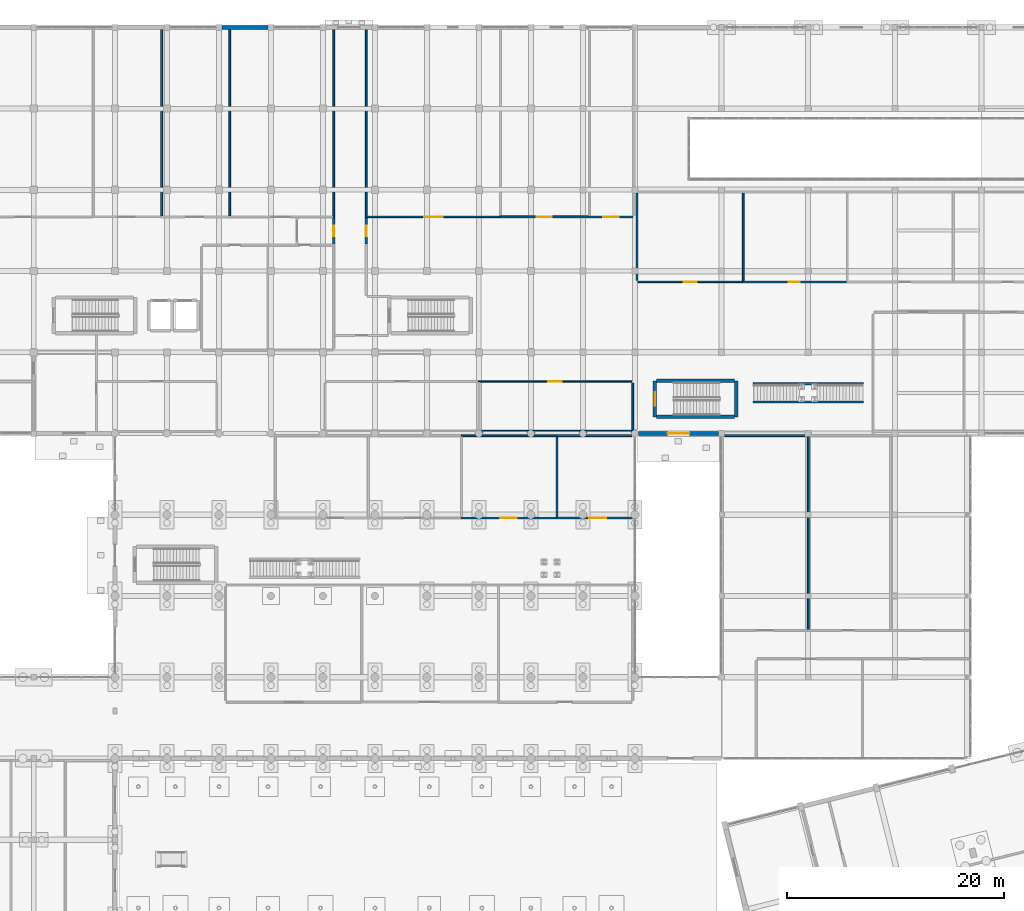
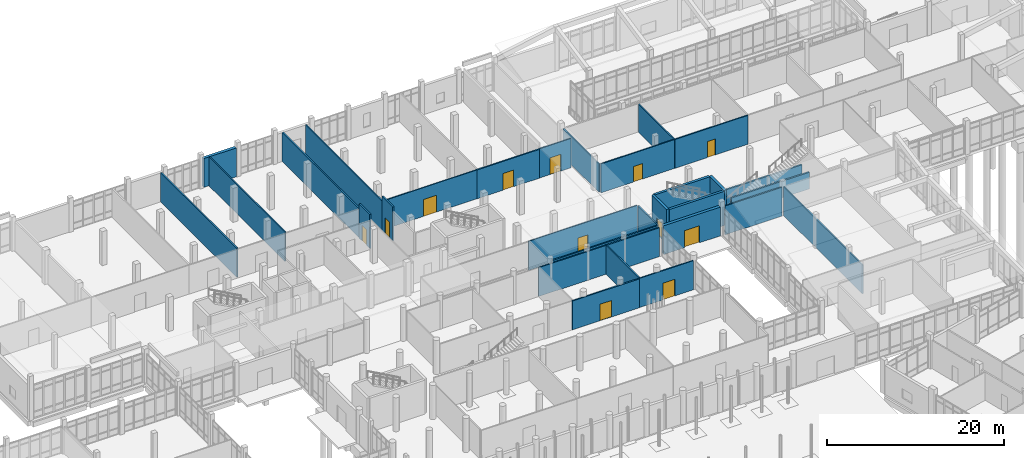
# One storey, part 156 of 173: 31 walls, 12 doors, 12 openings.
"""IFC4 building model written with IfcOpenShell, lengths in metres."""

from ifc_helpers import new_model, si_unit, direction, frame, frame_2d, origin, place, context, subcontext, project, spatial, rectangle, extrude, material, layer, layer_set, type_object, element, fill, save


model = new_model("IFC4")

# Units and contexts
model_context = context("Model", 3, precision=1e-05, world=origin(), true_north=direction((0.0, 1.0)))
body_context = subcontext(model_context, "Body", "Model", "MODEL_VIEW")
ifc_project = project(units=[si_unit("LENGTHUNIT", "METRE"), si_unit("AREAUNIT", "SQUARE_METRE"), si_unit("VOLUMEUNIT", "CUBIC_METRE"), si_unit("PLANEANGLEUNIT", "RADIAN"), si_unit("MASSUNIT", "GRAM", prefix="KILO")], contexts=[model_context])

# Site, building, storey
site_placement = place(None, origin())
site = spatial("IfcSite", under=ifc_project, at=site_placement, CompositionType="ELEMENT")
building_placement = place(site_placement, origin())
building = spatial("IfcBuilding", under=site, at=building_placement, Name="Mawjan Specialist Oncology Clinic", CompositionType="ELEMENT")
storey_placement = place(building_placement, origin())
storey = spatial("IfcBuildingStorey", under=building, at=storey_placement, Name="L00", CompositionType="ELEMENT", Elevation=0.0)

# Wall
ifc_material_1 = material(Name="Precast concrete C40/50", Category="concrete")
ifc_layer_1 = layer(ifc_material_1, 0.3798828125, Name="Precast concrete C40/50", Category="concrete")
ifc_layer_set_1 = layer_set([ifc_layer_1], Name="Precast concrete C40/50")
wall_type_1 = type_object("IfcWallType", Name="EW-380", PredefinedType="SOLIDWALL", material=ifc_layer_set_1)
wall_1_placement = place(storey_placement, frame((69.875, 113.300048828125, 0.0), z_axis=(0.0, 0.0, 1.0), x_axis=(1.0, 0.0, 0.0)))
element("IfcWall", 1, at=wall_1_placement, inside=storey, type_object=wall_type_1, Name="L00 Coral-Limestone Exterior Wall EW-L00-020", PredefinedType="SOLIDWALL", context=body_context, shape_type="SweptSolid", body=[
    extrude(rectangle(XDim=4.25, YDim=0.3798828125, at=frame_2d((2.125, 0.0))), origin(), (0.0, 0.0, 1.0), 3.985107421875),
])

# Wall, opening, door
wall_2_placement = place(storey_placement, frame((115.72509765625, 75.800048828125, 0.0), z_axis=(0.0, 0.0, 1.0), x_axis=(-1.0, 0.0, 0.0)))
wall_2 = element("IfcWall", 2, at=wall_2_placement, inside=storey, type_object=wall_type_1, Name="L00 Coral-Limestone Exterior Wall EW-L00-063", PredefinedType="SOLIDWALL", context=body_context, shape_type="SweptSolid", body=[
    extrude(rectangle(XDim=7.400146484375, YDim=0.3798828125, at=frame_2d((3.7001953125, 0.0))), origin(), (0.0, 0.0, 1.0), 3.985107421875),
])
opening_1_placement = place(wall_2_placement, frame((2.699951171875, 0.0, 0.0)))
opening_1 = element("IfcOpeningElement", 3, at=opening_1_placement, cuts=wall_2, Name="Opening DE-200", PredefinedType="OPENING", context=body_context, shape_type="SweptSolid", body=[
    extrude(rectangle(XDim=2.0, YDim=2.35009765625, at=frame_2d((1.0, 1.175048828125))), frame((0.0, 0.201904296875, 0.0), z_axis=(0.0, -1.0, 0.0), x_axis=(1.0, 0.0, 0.0)), (0.0, 0.0, 1.0), 0.40380859375),
])
ifc_material_2 = material(Name="Insulated marine-grade aluminium entrance assembly", Category="aluminium")
door_type_1 = type_object("IfcDoorType", Name="DE-200", OperationType="DOUBLE_DOOR_SINGLE_SWING", PredefinedType="DOOR", material=ifc_material_2)
door_1_placement = place(opening_1_placement, origin())
door_1 = element("IfcDoor", 4, at=door_1_placement, inside=storey, type_object=door_type_1, Name="Exit Stair ST-08 Final Exterior Discharge Door", OperationType="DOUBLE_DOOR_SINGLE_SWING", OverallHeight=2.35009765625, OverallWidth=2.0, PredefinedType="DOOR", context=body_context, shape_type="SweptSolid", body=[
    extrude(rectangle(XDim=2.0, YDim=2.35009765625, at=frame_2d((1.0, 1.175048828125))), frame((0.0, 0.02490234375, 0.0), z_axis=(0.0, -1.0, 0.0), x_axis=(1.0, 0.0, 0.0)), (0.0, 0.0, 1.0), 0.050048828125),
])
fill(opening_1, door_1)

# Walls
ifc_material_3 = material(Name="Concrete C45/55", Category="concrete")
ifc_layer_2 = layer(ifc_material_3, 0.320068359375, Name="Concrete C45/55", Category="concrete")
ifc_layer_set_2 = layer_set([ifc_layer_2], Name="Concrete C45/55")
wall_type_2 = type_object("IfcWallType", Name="SW-350", PredefinedType="SHEAR", material=ifc_layer_set_2)
wall_3_placement = place(storey_placement, frame((110.0048828125, 77.340087890625, 0.0), z_axis=(0.0, 0.0, 1.0), x_axis=(1.0, 0.0, 0.0)))
element("IfcWall", 5, at=wall_3_placement, inside=storey, type_object=wall_type_2, Name="L00 Core K8 Stair Shear Wall 1", PredefinedType="SHEAR", context=body_context, shape_type="SweptSolid", body=[
    extrude(rectangle(XDim=7.190185546875, YDim=0.320068359375, at=frame_2d((3.59521484375, 0.0))), origin(), (0.0, 0.0, 1.0), 4.699951171875),
])
wall_4_placement = place(storey_placement, frame((117.360107421875, 77.340087890625, 0.0), z_axis=(0.0, 0.0, 1.0), x_axis=(0.0, 1.0, 0.0)))
element("IfcWall", 6, at=wall_4_placement, inside=storey, type_object=wall_type_2, Name="L00 Core K8 Stair Shear Wall 2", PredefinedType="SHEAR", context=body_context, shape_type="SweptSolid", body=[
    extrude(rectangle(XDim=3.31982421875, YDim=0.320068359375, at=frame_2d((1.659912109375, 0.0))), origin(), (0.0, 0.0, 1.0), 4.699951171875),
])
wall_5_placement = place(storey_placement, frame((117.195068359375, 80.659912109375, 0.0), z_axis=(0.0, 0.0, 1.0), x_axis=(-1.0, 0.0, 0.0)))
element("IfcWall", 7, at=wall_5_placement, inside=storey, type_object=wall_type_2, Name="L00 Core K8 Stair Shear Wall 3", PredefinedType="SHEAR", context=body_context, shape_type="SweptSolid", body=[
    extrude(rectangle(XDim=7.190185546875, YDim=0.320068359375, at=frame_2d((3.59521484375, 0.0))), origin(), (0.0, 0.0, 1.0), 4.699951171875),
])

# Wall, opening, door
wall_6_placement = place(storey_placement, frame((109.840087890625, 80.659912109375, 0.0), z_axis=(0.0, 0.0, 1.0), x_axis=(0.0, -1.0, 0.0)))
wall_6 = element("IfcWall", 8, at=wall_6_placement, inside=storey, type_object=wall_type_2, Name="L00 Core K8 Stair Shear Wall 4", PredefinedType="SHEAR", context=body_context, shape_type="SweptSolid", body=[
    extrude(rectangle(XDim=3.31982421875, YDim=0.320068359375, at=frame_2d((1.659912109375, 0.0))), origin(), (0.0, 0.0, 1.0), 4.699951171875),
])
opening_2_placement = place(wall_6_placement, frame((1.034912109375, 0.0, 0.0)))
opening_2 = element("IfcOpeningElement", 9, at=opening_2_placement, cuts=wall_6, Name="Opening FD-90W", PredefinedType="OPENING", context=body_context, shape_type="SweptSolid", body=[
    extrude(rectangle(XDim=1.25, YDim=2.199951171875, at=frame_2d((0.625, 1.10009765625))), frame((0.0, 0.172119140625, 0.0), z_axis=(0.0, -1.0, 0.0), x_axis=(1.0, 0.0, 0.0)), (0.0, 0.0, 1.0), 0.343994140625),
])
ifc_material_4 = material(Name="Stainless-steel fire-rated hospital door", Category="steel")
door_type_2 = type_object("IfcDoorType", Name="FD-90W", OperationType="NOTDEFINED", PredefinedType="DOOR", material=ifc_material_4)
door_2_placement = place(opening_2_placement, origin())
door_2 = element("IfcDoor", 10, at=door_2_placement, inside=storey, type_object=door_type_2, Name="L00 ST-08 Fire Exit Stair Door", OperationType="SINGLE_SWING_LEFT", OverallHeight=2.199951171875, OverallWidth=1.25, PredefinedType="DOOR", context=body_context, shape_type="SweptSolid", body=[
    extrude(rectangle(XDim=1.25, YDim=2.199951171875, at=frame_2d((0.625, 1.10009765625))), frame((0.0, 0.02490234375, 0.0), z_axis=(0.0, -1.0, 0.0), x_axis=(1.0, 0.0, 0.0)), (0.0, 0.0, 1.0), 0.050048828125),
])
fill(opening_2, door_2)

ifc_material_5 = material(Name="Moisture-resistant washroom partition", Category="gypsum")
ifc_layer_3 = layer(ifc_material_5, 0.125, Name="Moisture-resistant washroom partition", Category="gypsum")
ifc_layer_set_3 = layer_set([ifc_layer_3], Name="Moisture-resistant washroom partition")
wall_type_3 = type_object("IfcWallType", Name="WP-125", PredefinedType="PARTITIONING", material=ifc_layer_set_3)
wall_7_placement = place(storey_placement, frame((83.284912109375, 95.800048828125, 0.0), z_axis=(0.0, 0.0, 1.0), x_axis=(1.0, 0.0, 0.0)))
wall_7 = element("IfcWall", 11, at=wall_7_placement, inside=storey, type_object=wall_type_3, Name="L00 Interior Partition W-INT-L00-P04-C", PredefinedType="PARTITIONING", context=body_context, shape_type="SweptSolid", body=[
    extrude(rectangle(XDim=12.22998046875, YDim=0.125, at=frame_2d((6.114990234375, 0.0))), origin(), (0.0, 0.0, 1.0), 3.985107421875),
])
opening_3_placement = place(wall_7_placement, frame((5.2548828125, 0.0, 0.0)))
opening_3 = element("IfcOpeningElement", 12, at=opening_3_placement, cuts=wall_7, Name="Opening DC-172", PredefinedType="OPENING", context=body_context, shape_type="SweptSolid", body=[
    extrude(rectangle(XDim=1.719970703125, YDim=2.340087890625, at=frame_2d((0.85986328125, 1.169921875))), frame((0.0, 0.074462890625, 0.0), z_axis=(0.0, -1.0, 0.0), x_axis=(1.0, 0.0, 0.0)), (0.0, 0.0, 1.0), 0.14892578125),
])
ifc_material_6 = material(Name="Acoustic laminate hospital door leaf", Category="wood")
door_type_3 = type_object("IfcDoorType", Name="DC-172", OperationType="NOTDEFINED", PredefinedType="DOOR", material=ifc_material_6)
door_3_placement = place(opening_3_placement, origin())
door_3 = element("IfcDoor", 13, at=door_3_placement, inside=storey, type_object=door_type_3, Name="L00 Phase II Discharge Lounge Door", OperationType="SINGLE_SWING_LEFT", OverallHeight=2.340087890625, OverallWidth=1.719970703125, PredefinedType="DOOR", context=body_context, shape_type="SweptSolid", body=[
    extrude(rectangle(XDim=1.719970703125, YDim=2.340087890625, at=frame_2d((0.85986328125, 1.169921875))), frame((0.0, 0.02490234375, 0.0), z_axis=(0.0, -1.0, 0.0), x_axis=(1.0, 0.0, 0.0)), (0.0, 0.0, 1.0), 0.050048828125),
])
fill(opening_3, door_3)

wall_8_placement = place(storey_placement, frame((93.527099609375, 80.60009765625, 0.0), z_axis=(0.0, 0.0, 1.0), x_axis=(1.0, 0.0, 0.0)))
wall_8 = element("IfcWall", 14, at=wall_8_placement, inside=storey, type_object=wall_type_3, Name="L00 Interior Partition W-INT-L00-P10B-C", PredefinedType="PARTITIONING", context=body_context, shape_type="SweptSolid", body=[
    extrude(rectangle(XDim=14.18798828125, YDim=0.125, at=frame_2d((7.093994140625, 0.0))), origin(), (0.0, 0.0, 1.0), 4.034912109375),
])
opening_4_placement = place(wall_8_placement, frame((6.4541015625, 0.0, 0.0)))
opening_4 = element("IfcOpeningElement", 15, at=opening_4_placement, cuts=wall_8, Name="Opening DC-128", PredefinedType="OPENING", context=body_context, shape_type="SweptSolid", body=[
    extrude(rectangle(XDim=1.280029296875, YDim=2.219970703125, at=frame_2d((0.64013671875, 1.10986328125))), frame((0.0, 0.074462890625, 0.0), z_axis=(0.0, -1.0, 0.0), x_axis=(1.0, 0.0, 0.0)), (0.0, 0.0, 1.0), 0.14892578125),
])
ifc_material_7 = material(Name="Acoustic laminate hospital door leaf", Category="wood")
door_type_4 = type_object("IfcDoorType", Name="DC-128", OperationType="NOTDEFINED", PredefinedType="DOOR", material=ifc_material_7)
door_4_placement = place(opening_4_placement, origin())
door_4 = element("IfcDoor", 16, at=door_4_placement, inside=storey, type_object=door_type_4, Name="L00 Surgical Scheduling Suite Door", OperationType="SINGLE_SWING_RIGHT", OverallHeight=2.219970703125, OverallWidth=1.280029296875, PredefinedType="DOOR", context=body_context, shape_type="SweptSolid", body=[
    extrude(rectangle(XDim=1.280029296875, YDim=2.219970703125, at=frame_2d((0.64013671875, 1.10986328125))), frame((0.0, 0.02490234375, 0.0), z_axis=(0.0, -1.0, 0.0), x_axis=(1.0, 0.0, 0.0)), (0.0, 0.0, 1.0), 0.050048828125),
])
fill(opening_4, door_4)

ifc_material_8 = material(Name="Acoustic gypsum clinical partition", Category="gypsum")
ifc_layer_4 = layer(ifc_material_8, 0.14990234375, Name="Acoustic gypsum clinical partition", Category="gypsum")
ifc_layer_set_4 = layer_set([ifc_layer_4], Name="Acoustic gypsum clinical partition")
wall_type_4 = type_object("IfcWallType", Name="WP-150", PredefinedType="PARTITIONING", material=ifc_layer_set_4)
wall_9_placement = place(storey_placement, frame((100.72705078125, 68.0, 0.0), z_axis=(0.0, 0.0, 1.0), x_axis=(1.0, 0.0, 0.0)))
wall_9 = element("IfcWall", 17, at=wall_9_placement, inside=storey, type_object=wall_type_4, Name="L00 Interior Partition W-INT-L00-H04-C", PredefinedType="PARTITIONING", context=body_context, shape_type="SweptSolid", body=[
    extrude(rectangle(XDim=7.036376953125, YDim=0.14990234375, at=frame_2d((3.51806640625, 0.0))), origin(), (0.0, 0.0, 1.0), 4.034912109375),
])
opening_5_placement = place(wall_9_placement, frame((3.06689453125, 0.0, 0.0)))
opening_5 = element("IfcOpeningElement", 18, at=opening_5_placement, cuts=wall_9, Name="Opening DC-156", PredefinedType="OPENING", context=body_context, shape_type="SweptSolid", body=[
    extrude(rectangle(XDim=1.56005859375, YDim=2.300048828125, at=frame_2d((0.780029296875, 1.14990234375))), frame((0.0, 0.0869140625, 0.0), z_axis=(0.0, -1.0, 0.0), x_axis=(1.0, 0.0, 0.0)), (0.0, 0.0, 1.0), 0.173828125),
])
ifc_material_9 = material(Name="Acoustic laminate hospital door leaf", Category="wood")
door_type_5 = type_object("IfcDoorType", Name="DC-156", OperationType="NOTDEFINED", PredefinedType="DOOR", material=ifc_material_9)
door_5_placement = place(opening_5_placement, origin())
door_5 = element("IfcDoor", 19, at=door_5_placement, inside=storey, type_object=door_type_5, Name="L00 Accessible Infusion Patient Toilet Door", OperationType="SINGLE_SWING_RIGHT", OverallHeight=2.300048828125, OverallWidth=1.56005859375, PredefinedType="DOOR", context=body_context, shape_type="SweptSolid", body=[
    extrude(rectangle(XDim=1.56005859375, YDim=2.300048828125, at=frame_2d((0.780029296875, 1.14990234375))), frame((0.0, 0.02490234375, 0.0), z_axis=(0.0, -1.0, 0.0), x_axis=(1.0, 0.0, 0.0)), (0.0, 0.0, 1.0), 0.050048828125),
])
fill(opening_5, door_5)

wall_10_placement = place(storey_placement, frame((108.284912109375, 89.800048828125, 0.0), z_axis=(0.0, 0.0, 1.0), x_axis=(1.0, 0.0, 0.0)))
wall_10 = element("IfcWall", 20, at=wall_10_placement, inside=storey, type_object=wall_type_4, Name="L00 Interior Partition W-INT-L00-I05-C", PredefinedType="PARTITIONING", context=body_context, shape_type="SweptSolid", body=[
    extrude(rectangle(XDim=9.630126953125, YDim=0.14990234375, at=frame_2d((4.81494140625, 0.0))), origin(), (0.0, 0.0, 1.0), 3.985107421875),
])
opening_6_placement = place(wall_10_placement, frame((4.215087890625, 0.0, 0.0)))
opening_6 = element("IfcOpeningElement", 21, at=opening_6_placement, cuts=wall_10, Name="Opening DC-120", PredefinedType="OPENING", context=body_context, shape_type="SweptSolid", body=[
    extrude(rectangle(XDim=1.199951171875, YDim=2.14990234375, at=frame_2d((0.60009765625, 1.074951171875))), frame((0.0, 0.0869140625, 0.0), z_axis=(0.0, -1.0, 0.0), x_axis=(1.0, 0.0, 0.0)), (0.0, 0.0, 1.0), 0.173828125),
])
ifc_material_10 = material(Name="Acoustic laminate hospital door leaf", Category="wood")
door_type_6 = type_object("IfcDoorType", Name="DC-120", OperationType="NOTDEFINED", PredefinedType="DOOR", material=ifc_material_10)
door_6_placement = place(opening_6_placement, origin())
door_6 = element("IfcDoor", 22, at=door_6_placement, inside=storey, type_object=door_type_6, Name="L00 PET-CT Molecular Imaging Room Door", OperationType="SINGLE_SWING_LEFT", OverallHeight=2.14990234375, OverallWidth=1.199951171875, PredefinedType="DOOR", context=body_context, shape_type="SweptSolid", body=[
    extrude(rectangle(XDim=1.199951171875, YDim=2.14990234375, at=frame_2d((0.60009765625, 1.074951171875))), frame((0.0, 0.02490234375, 0.0), z_axis=(0.0, -1.0, 0.0), x_axis=(1.0, 0.0, 0.0)), (0.0, 0.0, 1.0), 0.050048828125),
])
fill(opening_6, door_6)

# Walls
wall_11_placement = place(storey_placement, frame((91.927001953125, 75.60009765625, 0.0), z_axis=(0.0, 0.0, 1.0), x_axis=(1.0, 0.0, 0.0)))
element("IfcWall", 23, at=wall_11_placement, inside=storey, type_object=wall_type_4, Name="L00 Interior Partition W-INT-L00-H03-R", PredefinedType="PARTITIONING", context=body_context, shape_type="SweptSolid", body=[
    extrude(rectangle(XDim=8.7880859375, YDim=0.14990234375, at=frame_2d((4.39404296875, 0.0))), origin(), (0.0, 0.0, 1.0), 3.985107421875),
])
wall_12_placement = place(storey_placement, frame((70.60009765625, 95.886962890625, 0.0), z_axis=(0.0, 0.0, 1.0), x_axis=(0.0, 1.0, 0.0)))
element("IfcWall", 24, at=wall_12_placement, inside=storey, type_object=wall_type_4, Name="L00 Interior Partition W-INT-L00-P02B-D", PredefinedType="PARTITIONING", context=body_context, shape_type="SweptSolid", body=[
    extrude(rectangle(XDim=17.2109375, YDim=0.14990234375, at=frame_2d((8.60546875, 0.0))), origin(), (0.0, 0.0, 1.0), 4.034912109375),
])
wall_13_placement = place(storey_placement, frame((83.199951171875, 95.72705078125, 0.0), z_axis=(0.0, 0.0, 1.0), x_axis=(0.0, 1.0, 0.0)))
element("IfcWall", 25, at=wall_13_placement, inside=storey, type_object=wall_type_4, Name="L00 Interior Partition W-INT-L00-P04-D0", PredefinedType="PARTITIONING", context=body_context, shape_type="SweptSolid", body=[
    extrude(rectangle(XDim=17.370849609375, YDim=0.14990234375, at=frame_2d((8.685546875, 0.0))), origin(), (0.0, 0.0, 1.0), 4.034912109375),
])
wall_14_placement = place(storey_placement, frame((108.199951171875, 89.965087890625, 0.0), z_axis=(0.0, 0.0, 1.0), x_axis=(0.0, 1.0, 0.0)))
element("IfcWall", 26, at=wall_14_placement, inside=storey, type_object=wall_type_4, Name="L00 Interior Partition W-INT-L00-I05-D0", PredefinedType="PARTITIONING", context=body_context, shape_type="SweptSolid", body=[
    extrude(rectangle(XDim=8.0478515625, YDim=0.14990234375, at=frame_2d((4.02392578125, 0.0))), origin(), (0.0, 0.0, 1.0), 3.885009765625),
])
wall_15_placement = place(storey_placement, frame((118.0, 89.89208984375, 0.0), z_axis=(0.0, 0.0, 1.0), x_axis=(0.0, 1.0, 0.0)))
element("IfcWall", 27, at=wall_15_placement, inside=storey, type_object=wall_type_4, Name="L00 Interior Partition W-INT-L00-I05-D", PredefinedType="PARTITIONING", context=body_context, shape_type="SweptSolid", body=[
    extrude(rectangle(XDim=8.10595703125, YDim=0.14990234375, at=frame_2d((4.052978515625, 0.0))), origin(), (0.0, 0.0, 1.0), 3.885009765625),
])

# Wall, opening, door
ifc_material_11 = material(Name="Acoustic clinical twin-stud partition", Category="gypsum")
ifc_layer_5 = layer(ifc_material_11, 0.159912109375, Name="Acoustic clinical twin-stud partition", Category="gypsum")
ifc_layer_set_5 = layer_set([ifc_layer_5], Name="Acoustic clinical twin-stud partition")
wall_type_5 = type_object("IfcWallType", Name="WP-160", PredefinedType="PARTITIONING", material=ifc_layer_set_5)
wall_16_placement = place(storey_placement, frame((103.72705078125, 95.800048828125, 0.0), z_axis=(0.0, 0.0, 1.0), x_axis=(1.0, 0.0, 0.0)))
wall_16 = element("IfcWall", 28, at=wall_16_placement, inside=storey, type_object=wall_type_5, Name="L00 Interior Partition W-INT-L00-P05-C", PredefinedType="PARTITIONING", context=body_context, shape_type="SweptSolid", body=[
    extrude(rectangle(XDim=4.10791015625, YDim=0.159912109375, at=frame_2d((2.053955078125, 0.0))), origin(), (0.0, 0.0, 1.0), 4.034912109375),
])
opening_7_placement = place(wall_16_placement, frame((1.333984375, 0.0, 0.0)))
opening_7 = element("IfcOpeningElement", 29, at=opening_7_placement, cuts=wall_16, Name="Opening DM-CT", PredefinedType="OPENING", context=body_context, shape_type="SweptSolid", body=[
    extrude(rectangle(XDim=1.43994140625, YDim=2.320068359375, at=frame_2d((0.719970703125, 1.16015625))), frame((0.0, 0.092041015625, 0.0), z_axis=(0.0, -1.0, 0.0), x_axis=(1.0, 0.0, 0.0)), (0.0, 0.0, 1.0), 0.183837890625),
])
ifc_material_12 = material(Name="Acoustic laminate hospital door leaf", Category="wood")
door_type_7 = type_object("IfcDoorType", Name="DM-CT", OperationType="NOTDEFINED", PredefinedType="DOOR", material=ifc_material_12)
door_7_placement = place(opening_7_placement, origin())
door_7 = element("IfcDoor", 30, at=door_7_placement, inside=storey, type_object=door_type_7, Name="L00 Accessible Procedure Toilet Door", OperationType="SINGLE_SWING_LEFT", OverallHeight=2.320068359375, OverallWidth=1.43994140625, PredefinedType="DOOR", context=body_context, shape_type="SweptSolid", body=[
    extrude(rectangle(XDim=1.43994140625, YDim=2.320068359375, at=frame_2d((0.719970703125, 1.16015625))), frame((0.0, 0.02490234375, 0.0), z_axis=(0.0, -1.0, 0.0), x_axis=(1.0, 0.0, 0.0)), (0.0, 0.0, 1.0), 0.050048828125),
])
fill(opening_7, door_7)

wall_17_placement = place(storey_placement, frame((117.927001953125, 89.800048828125, 0.0), z_axis=(0.0, 0.0, 1.0), x_axis=(1.0, 0.0, 0.0)))
wall_17 = element("IfcWall", 31, at=wall_17_placement, inside=storey, type_object=wall_type_5, Name="L00 Interior Partition W-INT-L00-I06-C", PredefinedType="PARTITIONING", context=body_context, shape_type="SweptSolid", body=[
    extrude(rectangle(XDim=9.587890625, YDim=0.159912109375, at=frame_2d((4.7939453125, 0.0))), origin(), (0.0, 0.0, 1.0), 3.985107421875),
])
opening_8_placement = place(wall_17_placement, frame((4.2939453125, 0.0, 0.0)))
opening_8 = element("IfcOpeningElement", 32, at=opening_8_placement, cuts=wall_17, Name="Opening DA-100", PredefinedType="OPENING", context=body_context, shape_type="SweptSolid", body=[
    extrude(rectangle(XDim=1.0, YDim=2.219970703125, at=frame_2d((0.5, 1.10986328125))), frame((0.0, 0.092041015625, 0.0), z_axis=(0.0, -1.0, 0.0), x_axis=(1.0, 0.0, 0.0)), (0.0, 0.0, 1.0), 0.183837890625),
])
ifc_material_13 = material(Name="Acoustic laminate hospital door leaf", Category="wood")
door_type_8 = type_object("IfcDoorType", Name="DA-100", OperationType="NOTDEFINED", PredefinedType="DOOR", material=ifc_material_13)
door_8_placement = place(opening_8_placement, origin())
door_8 = element("IfcDoor", 33, at=door_8_placement, inside=storey, type_object=door_type_8, Name="L00 Radiopharmaceutical Hot Lab Door", OperationType="SINGLE_SWING_RIGHT", OverallHeight=2.219970703125, OverallWidth=1.0, PredefinedType="DOOR", context=body_context, shape_type="SweptSolid", body=[
    extrude(rectangle(XDim=1.0, YDim=2.219970703125, at=frame_2d((0.5, 1.10986328125))), frame((0.0, 0.02490234375, 0.0), z_axis=(0.0, -1.0, 0.0), x_axis=(1.0, 0.0, 0.0)), (0.0, 0.0, 1.0), 0.050048828125),
])
fill(opening_8, door_8)

# Walls
wall_18_placement = place(storey_placement, frame((100.800048828125, 68.0869140625, 0.0), z_axis=(0.0, 0.0, 1.0), x_axis=(0.0, 1.0, 0.0)))
element("IfcWall", 34, at=wall_18_placement, inside=storey, type_object=wall_type_5, Name="L00 Interior Partition W-INT-L00-H03-D", PredefinedType="PARTITIONING", context=body_context, shape_type="SweptSolid", body=[
    extrude(rectangle(XDim=7.4111328125, YDim=0.159912109375, at=frame_2d((3.70556640625, 0.0))), origin(), (0.0, 0.0, 1.0), 4.034912109375),
])
wall_19_placement = place(storey_placement, frame((124.0, 57.68701171875, 0.0), z_axis=(0.0, 0.0, 1.0), x_axis=(0.0, 1.0, 0.0)))
element("IfcWall", 35, at=wall_19_placement, inside=storey, type_object=wall_type_5, Name="L00 Interior Partition W-INT-L00-L01A-D", PredefinedType="PARTITIONING", context=body_context, shape_type="SweptSolid", body=[
    extrude(rectangle(XDim=17.825927734375, YDim=0.159912109375, at=frame_2d((8.9130859375, 0.0))), origin(), (0.0, 0.0, 1.0), 3.985107421875),
])
wall_20_placement = place(storey_placement, frame((107.800048828125, 76.06787109375, 0.0), z_axis=(0.0, 0.0, 1.0), x_axis=(0.0, 1.0, 0.0)))
element("IfcWall", 36, at=wall_20_placement, inside=storey, type_object=wall_type_5, Name="L00 Interior Partition W-INT-L00-P10B-D", PredefinedType="PARTITIONING", context=body_context, shape_type="SweptSolid", body=[
    extrude(rectangle(XDim=4.3671875, YDim=0.159912109375, at=frame_2d((2.18359375, 0.0))), origin(), (0.0, 0.0, 1.0), 4.034912109375),
])

# Wall, opening, door
ifc_material_14 = material(Name="Lead-lined radiation-shielded clinical partition", Category="gypsum")
ifc_layer_6 = layer(ifc_material_14, 0.179931640625, Name="Lead-lined radiation-shielded clinical partition", Category="gypsum")
ifc_layer_set_6 = layer_set([ifc_layer_6], Name="Lead-lined radiation-shielded clinical partition")
wall_type_6 = type_object("IfcWallType", Name="WP-180", PredefinedType="PARTITIONING", material=ifc_layer_set_6)
wall_21_placement = place(storey_placement, frame((91.927001953125, 68.0, 0.0), z_axis=(0.0, 0.0, 1.0), x_axis=(1.0, 0.0, 0.0)))
wall_21 = element("IfcWall", 37, at=wall_21_placement, inside=storey, type_object=wall_type_6, Name="L00 Interior Partition W-INT-L00-H03-C", PredefinedType="PARTITIONING", context=body_context, shape_type="SweptSolid", body=[
    extrude(rectangle(XDim=8.7880859375, YDim=0.179931640625, at=frame_2d((4.39404296875, 0.0))), origin(), (0.0, 0.0, 1.0), 3.985107421875),
])
opening_9_placement = place(wall_21_placement, frame((3.64404296875, 0.0, 0.0)))
opening_9 = element("IfcOpeningElement", 38, at=opening_9_placement, cuts=wall_21, Name="Opening DC-150", PredefinedType="OPENING", context=body_context, shape_type="SweptSolid", body=[
    extrude(rectangle(XDim=1.5, YDim=2.280029296875, at=frame_2d((0.75, 1.14013671875))), frame((0.0, 0.10205078125, 0.0), z_axis=(0.0, -1.0, 0.0), x_axis=(1.0, 0.0, 0.0)), (0.0, 0.0, 1.0), 0.203857421875),
])
ifc_material_15 = material(Name="Acoustic laminate hospital door leaf", Category="wood")
door_type_9 = type_object("IfcDoorType", Name="DC-150", OperationType="NOTDEFINED", PredefinedType="DOOR", material=ifc_material_15)
door_9_placement = place(opening_9_placement, origin())
door_9 = element("IfcDoor", 39, at=door_9_placement, inside=storey, type_object=door_type_9, Name="L00 Oncology Satellite Dispensing Room Door", OperationType="SINGLE_SWING_LEFT", OverallHeight=2.280029296875, OverallWidth=1.5, PredefinedType="DOOR", context=body_context, shape_type="SweptSolid", body=[
    extrude(rectangle(XDim=1.5, YDim=2.280029296875, at=frame_2d((0.75, 1.14013671875))), frame((0.0, 0.02490234375, 0.0), z_axis=(0.0, -1.0, 0.0), x_axis=(1.0, 0.0, 0.0)), (0.0, 0.0, 1.0), 0.050048828125),
])
fill(opening_9, door_9)

wall_22_placement = place(storey_placement, frame((95.527099609375, 95.800048828125, 0.0), z_axis=(0.0, 0.0, 1.0), x_axis=(1.0, 0.0, 0.0)))
wall_22 = element("IfcWall", 40, at=wall_22_placement, inside=storey, type_object=wall_type_6, Name="L00 Interior Partition W-INT-L00-P05A-C", PredefinedType="PARTITIONING", context=body_context, shape_type="SweptSolid", body=[
    extrude(rectangle(XDim=8.18798828125, YDim=0.179931640625, at=frame_2d((4.093994140625, 0.0))), origin(), (0.0, 0.0, 1.0), 3.985107421875),
])
opening_10_placement = place(wall_22_placement, frame((3.404052734375, 0.0, 0.0)))
opening_10 = element("IfcOpeningElement", 41, at=opening_10_placement, cuts=wall_22, Name="Opening DM-MRI", PredefinedType="OPENING", context=body_context, shape_type="SweptSolid", body=[
    extrude(rectangle(XDim=1.3798828125, YDim=2.300048828125, at=frame_2d((0.68994140625, 1.14990234375))), frame((0.0, 0.10205078125, 0.0), z_axis=(0.0, -1.0, 0.0), x_axis=(1.0, 0.0, 0.0)), (0.0, 0.0, 1.0), 0.203857421875),
])
ifc_material_16 = material(Name="Acoustic laminate hospital door leaf", Category="wood")
door_type_10 = type_object("IfcDoorType", Name="DM-MRI", OperationType="NOTDEFINED", PredefinedType="DOOR", material=ifc_material_16)
door_10_placement = place(opening_10_placement, origin())
door_10 = element("IfcDoor", 42, at=door_10_placement, inside=storey, type_object=door_type_10, Name="L00 Pre-Procedure Gowning Suite Door", OperationType="SINGLE_SWING_RIGHT", OverallHeight=2.300048828125, OverallWidth=1.3798828125, PredefinedType="DOOR", context=body_context, shape_type="SweptSolid", body=[
    extrude(rectangle(XDim=1.3798828125, YDim=2.300048828125, at=frame_2d((0.68994140625, 1.14990234375))), frame((0.0, 0.02490234375, 0.0), z_axis=(0.0, -1.0, 0.0), x_axis=(1.0, 0.0, 0.0)), (0.0, 0.0, 1.0), 0.050048828125),
])
fill(opening_10, door_10)

# Walls
wall_23_placement = place(storey_placement, frame((100.72705078125, 75.60009765625, 0.0), z_axis=(0.0, 0.0, 1.0), x_axis=(1.0, 0.0, 0.0)))
element("IfcWall", 43, at=wall_23_placement, inside=storey, type_object=wall_type_6, Name="L00 Interior Partition W-INT-L00-H04-R", PredefinedType="PARTITIONING", context=body_context, shape_type="SweptSolid", body=[
    extrude(rectangle(XDim=7.0048828125, YDim=0.179931640625, at=frame_2d((3.50244140625, 0.0))), origin(), (0.0, 0.0, 1.0), 3.985107421875),
])
wall_24_placement = place(storey_placement, frame((116.287109375, 75.60009765625, 0.0), z_axis=(0.0, 0.0, 1.0), x_axis=(1.0, 0.0, 0.0)))
element("IfcWall", 44, at=wall_24_placement, inside=storey, type_object=wall_type_6, Name="L00 Interior Partition W-INT-L00-L01A-R", PredefinedType="PARTITIONING", context=body_context, shape_type="SweptSolid", body=[
    extrude(rectangle(XDim=7.4609375, YDim=0.179931640625, at=frame_2d((3.73046875, 0.0))), origin(), (0.0, 0.0, 1.0), 3.985107421875),
])
wall_25_placement = place(storey_placement, frame((93.85205078125, 76.0, 0.0), z_axis=(0.0, 0.0, 1.0), x_axis=(1.0, 0.0, 0.0)))
element("IfcWall", 45, at=wall_25_placement, inside=storey, type_object=wall_type_6, Name="L00 Interior Partition W-INT-L00-P10B-R", PredefinedType="PARTITIONING", context=body_context, shape_type="SweptSolid", body=[
    extrude(rectangle(XDim=13.8798828125, YDim=0.179931640625, at=frame_2d((6.93994140625, 0.0))), origin(), (0.0, 0.0, 1.0), 4.034912109375),
])
wall_26_placement = place(storey_placement, frame((64.300048828125, 95.89208984375, 0.0), z_axis=(0.0, 0.0, 1.0), x_axis=(0.0, 1.0, 0.0)))
element("IfcWall", 46, at=wall_26_placement, inside=storey, type_object=wall_type_6, Name="L00 Interior Partition W-INT-L00-P02A-D", PredefinedType="PARTITIONING", context=body_context, shape_type="SweptSolid", body=[
    extrude(rectangle(XDim=17.205810546875, YDim=0.179931640625, at=frame_2d((8.60302734375, 0.0))), origin(), (0.0, 0.0, 1.0), 4.034912109375),
])
wall_27_placement = place(storey_placement, frame((80.199951171875, 95.72705078125, 0.0), z_axis=(0.0, 0.0, 1.0), x_axis=(0.0, 1.0, 0.0)))
element("IfcWall", 47, at=wall_27_placement, inside=storey, type_object=wall_type_6, Name="L00 Interior Partition W-INT-L00-P03-D", PredefinedType="PARTITIONING", context=body_context, shape_type="SweptSolid", body=[
    extrude(rectangle(XDim=17.370849609375, YDim=0.179931640625, at=frame_2d((8.685546875, 0.0))), origin(), (0.0, 0.0, 1.0), 4.034912109375),
])
ifc_material_17 = material(Name="Insulated fire-rated gypsum stud partition", Category="gypsum")
ifc_layer_7 = layer(ifc_material_17, 0.199951171875, Name="Insulated fire-rated gypsum stud partition", Category="gypsum")
ifc_layer_set_7 = layer_set([ifc_layer_7], Name="Insulated fire-rated gypsum stud partition")
wall_type_7 = type_object("IfcWallType", Name="WS-60", PredefinedType="PARTITIONING", material=ifc_layer_set_7)
for number, where, z_axis, x_axis, name in (
    (48, (118.89990234375, 78.705078125, 0.0), (0.0, 0.0, 1.0), (1.0, 0.0, 0.0), "ST-12 Communicating Stair Flank Wall S"),
    (49, (118.89990234375, 80.39501953125, 0.0), (0.0, 0.0, 1.0), (1.0, 0.0, 0.0), "ST-12 Communicating Stair Flank Wall N"),
):
    element("IfcWall", number, at=place(storey_placement, frame(where, z_axis=z_axis, x_axis=x_axis)), inside=storey, type_object=wall_type_7, Name=name, PredefinedType="PARTITIONING", context=body_context, shape_type="SweptSolid", body=[
        extrude(rectangle(XDim=10.2001953125, YDim=0.199951171875, at=frame_2d((5.10009765625, 0.0))), origin(), (0.0, 0.0, 1.0), 2.300048828125),
    ])

# Wall, opening, door
wall_28_placement = place(storey_placement, frame((80.199951171875, 93.284912109375, 0.0), z_axis=(0.0, 0.0, 1.0), x_axis=(0.0, 1.0, 0.0)))
wall_28 = element("IfcWall", 50, at=wall_28_placement, inside=storey, type_object=wall_type_7, Name="L00 Interior Partition W-INT-L00-K4V-W", PredefinedType="PARTITIONING", context=body_context, shape_type="SweptSolid", body=[
    extrude(rectangle(XDim=2.43017578125, YDim=0.199951171875, at=frame_2d((1.215087890625, 0.0))), origin(), (0.0, 0.0, 1.0), 4.699951171875),
])
opening_11_placement = place(wall_28_placement, frame((0.715087890625, 0.0, 0.0)))
opening_11 = element("IfcOpeningElement", 51, at=opening_11_placement, cuts=wall_28, Name="Opening DF-100", PredefinedType="OPENING", context=body_context, shape_type="SweptSolid", body=[
    extrude(rectangle(XDim=1.0, YDim=2.14990234375, at=frame_2d((0.5, 1.074951171875))), frame((0.0, 0.112060546875, 0.0), z_axis=(0.0, -1.0, 0.0), x_axis=(1.0, 0.0, 0.0)), (0.0, 0.0, 1.0), 0.223876953125),
])
ifc_material_18 = material(Name="Stainless-steel fire-rated hospital door", Category="steel")
door_type_11 = type_object("IfcDoorType", Name="DF-100", OperationType="NOTDEFINED", PredefinedType="DOOR", material=ifc_material_18)
door_11_placement = place(opening_11_placement, origin())
door_11 = element("IfcDoor", 52, at=door_11_placement, inside=storey, type_object=door_type_11, Name="L00 Stair ST-04 West Corridor Lobby Fire Door", OperationType="SINGLE_SWING_LEFT", OverallHeight=2.14990234375, OverallWidth=1.0, PredefinedType="DOOR", context=body_context, shape_type="SweptSolid", body=[
    extrude(rectangle(XDim=1.0, YDim=2.14990234375, at=frame_2d((0.5, 1.074951171875))), frame((0.0, 0.02490234375, 0.0), z_axis=(0.0, -1.0, 0.0), x_axis=(1.0, 0.0, 0.0)), (0.0, 0.0, 1.0), 0.050048828125),
])
fill(opening_11, door_11)

wall_29_placement = place(storey_placement, frame((83.199951171875, 93.284912109375, 0.0), z_axis=(0.0, 0.0, 1.0), x_axis=(0.0, 1.0, 0.0)))
wall_29 = element("IfcWall", 53, at=wall_29_placement, inside=storey, type_object=wall_type_7, Name="L00 Interior Partition W-INT-L00-K4V-E", PredefinedType="PARTITIONING", context=body_context, shape_type="SweptSolid", body=[
    extrude(rectangle(XDim=2.43017578125, YDim=0.199951171875, at=frame_2d((1.215087890625, 0.0))), origin(), (0.0, 0.0, 1.0), 4.699951171875),
])
opening_12_placement = place(wall_29_placement, frame((0.715087890625, 0.0, 0.0)))
opening_12 = element("IfcOpeningElement", 54, at=opening_12_placement, cuts=wall_29, Name="Opening DF-100", PredefinedType="OPENING", context=body_context, shape_type="SweptSolid", body=[
    extrude(rectangle(XDim=1.0, YDim=2.14990234375, at=frame_2d((0.5, 1.074951171875))), frame((0.0, 0.112060546875, 0.0), z_axis=(0.0, -1.0, 0.0), x_axis=(1.0, 0.0, 0.0)), (0.0, 0.0, 1.0), 0.223876953125),
])
door_12_placement = place(opening_12_placement, origin())
door_12 = element("IfcDoor", 55, at=door_12_placement, inside=storey, type_object=door_type_11, Name="L00 Stair ST-04 East Corridor Lobby Fire Door", OperationType="SINGLE_SWING_RIGHT", OverallHeight=2.14990234375, OverallWidth=1.0, PredefinedType="DOOR", context=body_context, shape_type="SweptSolid", body=[
    extrude(rectangle(XDim=1.0, YDim=2.14990234375, at=frame_2d((0.5, 1.074951171875))), frame((0.0, 0.02490234375, 0.0), z_axis=(0.0, -1.0, 0.0), x_axis=(1.0, 0.0, 0.0)), (0.0, 0.0, 1.0), 0.050048828125),
])
fill(opening_12, door_12)

save(model, "model.ifc")
